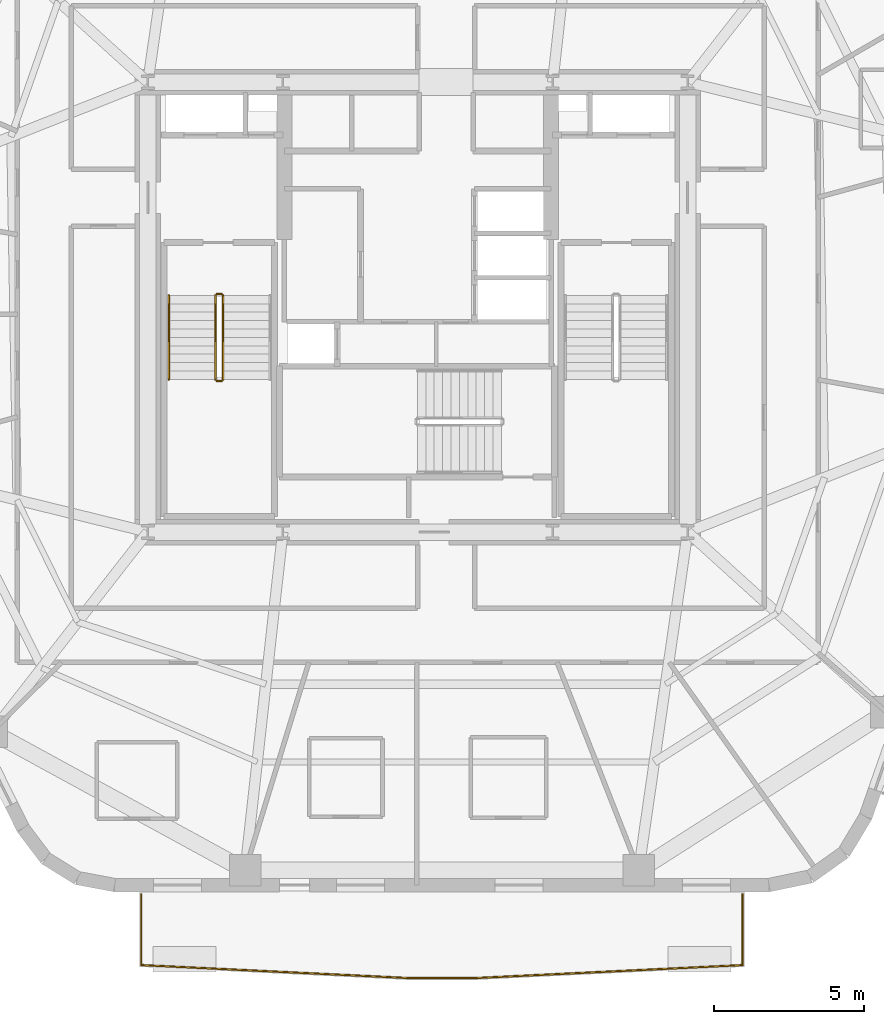
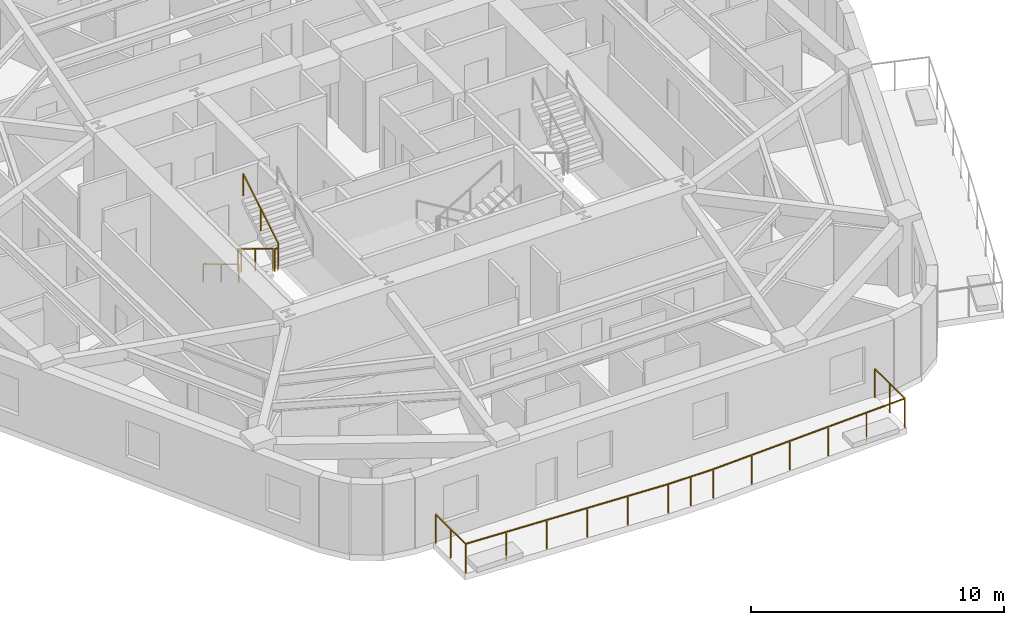
# One storey, part 8 of 11: 6 railings.
"""IFC4 building model written with IfcOpenShell, lengths in metres."""

from ifc_helpers import new_model, si_unit, direction, frame, origin, origin_2d, place, context, subcontext, project, spatial, rectangle, extrude, material, layer, layer_set, type_object, element, save


model = new_model("IFC4")

# Units and contexts
model_context = context("Model", 3, precision=1e-05, world=origin(), true_north=direction((0.0, 1.0)))
body_context = subcontext(model_context, "Body", "Model", "MODEL_VIEW")
ifc_project = project(units=[si_unit("LENGTHUNIT", "METRE"), si_unit("AREAUNIT", "SQUARE_METRE"), si_unit("VOLUMEUNIT", "CUBIC_METRE"), si_unit("PLANEANGLEUNIT", "RADIAN"), si_unit("MASSUNIT", "GRAM", prefix="KILO")], contexts=[model_context])

# Site, building, storey
site_placement = place(None, origin())
site = spatial("IfcSite", under=ifc_project, at=site_placement, CompositionType="ELEMENT")
building_placement = place(site_placement, origin())
building = spatial("IfcBuilding", under=site, at=building_placement, Name="Kilnhurst Terrace Hotel", CompositionType="ELEMENT")
storey_placement = place(building_placement, frame((0.0, 0.0, 159.10009765625)))
storey = spatial("IfcBuildingStorey", under=building, at=storey_placement, Name="L39", CompositionType="ELEMENT", Elevation=159.10009765625)

# Railings
ifc_material_1 = material(Name="Laminated SentryGlas and Stainless Steel AISI 316L Balustrade", Category="steel")
ifc_layer_1 = layer(ifc_material_1, 0.070068359375, Name="Laminated SentryGlas and Stainless Steel AISI 316L Balustrade")
ifc_layer_set_1 = layer_set([ifc_layer_1], Name="Laminated SentryGlas and Stainless Steel AISI 316L Balustrade")
railing_type_1 = type_object("IfcRailingType", Name="RLG-BAL-1420", PredefinedType="BALUSTRADE", material=ifc_layer_set_1)
railing_1_placement = place(storey_placement, frame((10.83349609375, -19.580078125, 0.0)))
element("IfcRailing", 1, at=railing_1_placement, inside=storey, type_object=railing_type_1, Name="L39 Exterior Terrace Guardrail BAL-L1A.1", PredefinedType="BALUSTRADE", context=body_context, shape_type="SweptSolid", body=[
    extrude(rectangle(XDim=0.048095703125, YDim=0.048095703125, at=origin_2d()), frame((0.0, 0.0, 1.39599609375), z_axis=(0.0, -1.0, 0.0), x_axis=(1.0, 0.0, 0.0)), (0.0, 0.0, 1.0), 2.36279296875),
    extrude(rectangle(XDim=0.048095703125, YDim=0.048095703125, at=origin_2d()), frame((0.0, -2.36279296875, 1.39599609375), z_axis=(-0.998822813861, -0.048507592295, 0.0), x_axis=(0.048507592295, -0.998822813861, 0.0)), (0.0, 0.0, 1.0), 9.009033203125),
    extrude(rectangle(XDim=0.048095703125, YDim=0.048095703125, at=origin_2d()), frame((-8.99853515625, -2.7998046875, 1.39599609375), z_axis=(-1.0, 0.0, 0.0), x_axis=(0.0, -1.0, 0.0)), (0.0, 0.0, 1.0), 2.0556640625),
    extrude(rectangle(XDim=0.048095703125, YDim=0.048095703125, at=origin_2d()), frame((-11.05419921875, -2.7998046875, 1.39599609375), z_axis=(-0.998822813861, 0.048507592295, 0.0), x_axis=(-0.048507592295, -0.998822813861, 0.0)), (0.0, 0.0, 1.0), 9.009033203125),
    extrude(rectangle(XDim=0.048095703125, YDim=0.048095703125, at=origin_2d()), frame((-20.052734375, -2.36279296875, 1.39599609375), z_axis=(0.0, 1.0, 0.0), x_axis=(-1.0, 0.0, 0.0)), (0.0, 0.0, 1.0), 2.36279296875),
    extrude(rectangle(XDim=0.0419921875, YDim=0.0419921875, at=origin_2d()), origin(), (0.0, 0.0, 1.0), 1.371826171875),
    extrude(rectangle(XDim=0.0419921875, YDim=0.0419921875, at=origin_2d()), frame((0.0, -1.181396484375, 0.0)), (0.0, 0.0, 1.0), 1.371826171875),
    extrude(rectangle(XDim=0.0419921875, YDim=0.0419921875, at=origin_2d()), frame((0.0, -2.36279296875, 0.0)), (0.0, 0.0, 1.0), 1.371826171875),
    extrude(rectangle(XDim=0.0419921875, YDim=0.0419921875, at=origin_2d()), frame((-1.7998046875, -2.4501953125, 0.0)), (0.0, 0.0, 1.0), 1.371826171875),
    extrude(rectangle(XDim=0.0419921875, YDim=0.0419921875, at=origin_2d()), frame((-3.599365234375, -2.53759765625, 0.0)), (0.0, 0.0, 1.0), 1.371826171875),
    extrude(rectangle(XDim=0.0419921875, YDim=0.0419921875, at=origin_2d()), frame((-5.399169921875, -2.625, 0.0)), (0.0, 0.0, 1.0), 1.371826171875),
    extrude(rectangle(XDim=0.0419921875, YDim=0.0419921875, at=origin_2d()), frame((-7.19873046875, -2.71240234375, 0.0)), (0.0, 0.0, 1.0), 1.371826171875),
    extrude(rectangle(XDim=0.0419921875, YDim=0.0419921875, at=origin_2d()), frame((-8.99853515625, -2.7998046875, 0.0)), (0.0, 0.0, 1.0), 1.371826171875),
    extrude(rectangle(XDim=0.0419921875, YDim=0.0419921875, at=origin_2d()), frame((-10.0263671875, -2.7998046875, 0.0)), (0.0, 0.0, 1.0), 1.371826171875),
    extrude(rectangle(XDim=0.0419921875, YDim=0.0419921875, at=origin_2d()), frame((-11.05419921875, -2.7998046875, 0.0)), (0.0, 0.0, 1.0), 1.371826171875),
    extrude(rectangle(XDim=0.0419921875, YDim=0.0419921875, at=origin_2d()), frame((-12.85400390625, -2.71240234375, 0.0)), (0.0, 0.0, 1.0), 1.371826171875),
    extrude(rectangle(XDim=0.0419921875, YDim=0.0419921875, at=origin_2d()), frame((-14.653564453125, -2.625, 0.0)), (0.0, 0.0, 1.0), 1.371826171875),
    extrude(rectangle(XDim=0.0419921875, YDim=0.0419921875, at=origin_2d()), frame((-16.453369140625, -2.53759765625, 0.0)), (0.0, 0.0, 1.0), 1.371826171875),
    extrude(rectangle(XDim=0.0419921875, YDim=0.0419921875, at=origin_2d()), frame((-18.2529296875, -2.4501953125, 0.0)), (0.0, 0.0, 1.0), 1.371826171875),
    extrude(rectangle(XDim=0.0419921875, YDim=0.0419921875, at=origin_2d()), frame((-20.052734375, -2.36279296875, 0.0)), (0.0, 0.0, 1.0), 1.371826171875),
    extrude(rectangle(XDim=0.0419921875, YDim=0.0419921875, at=origin_2d()), frame((-20.052734375, -1.181396484375, 0.0)), (0.0, 0.0, 1.0), 1.371826171875),
    extrude(rectangle(XDim=0.0419921875, YDim=0.0419921875, at=origin_2d()), frame((-20.052734375, 0.0, 0.0)), (0.0, 0.0, 1.0), 1.371826171875),
])
ifc_material_2 = material(Name="Powder-Coated Steel ASTM A500 Grade B", Category="steel")
ifc_layer_2 = layer(ifc_material_2, 0.050048828125, Name="Powder-Coated Steel ASTM A500 Grade B")
ifc_layer_set_2 = layer_set([ifc_layer_2], Name="Powder-Coated Steel ASTM A500 Grade B")
railing_type_2 = type_object("IfcRailingType", Name="RLG-ST-GRD-1100", PredefinedType="GUARDRAIL", material=ifc_layer_set_2)
railing_2_placement = place(storey_placement, frame((-6.739990234375, 0.389892578125, 0.16796875)))
element("IfcRailing", 2, at=railing_2_placement, inside=storey, type_object=railing_type_2, Name="L39 ST-1 stair guard 1", PredefinedType="GUARDRAIL", context=body_context, shape_type="SweptSolid", body=[
    extrude(rectangle(XDim=0.048095703125, YDim=0.048095703125, at=origin_2d()), frame((0.0, 0.0, 1.076171875), z_axis=(0.0, -0.857222391501, 0.514946377315), x_axis=(1.0, 0.0, 0.0)), (0.0, 0.0, 1.0), 3.26611328125),
    extrude(rectangle(XDim=0.0419921875, YDim=0.0419921875, at=origin_2d()), origin(), (0.0, 0.0, 1.0), 1.052001953125),
    extrude(rectangle(XDim=0.0419921875, YDim=0.0419921875, at=origin_2d()), frame((0.0, -1.39990234375, 0.8408203125)), (0.0, 0.0, 1.0), 1.052001953125),
    extrude(rectangle(XDim=0.0419921875, YDim=0.0419921875, at=origin_2d()), frame((0.0, -2.7998046875, 1.681884765625)), (0.0, 0.0, 1.0), 1.052001953125),
])
railing_3_placement = place(storey_placement, frame((-6.68994140625, -2.4599609375, 1.849853515625)))
element("IfcRailing", 3, at=railing_3_placement, inside=storey, type_object=railing_type_2, Name="L39 ST-1 stair guard 2", PredefinedType="GUARDRAIL", context=body_context, shape_type="SweptSolid", body=[
    extrude(rectangle(XDim=0.048095703125, YDim=0.048095703125, at=origin_2d()), frame((0.0, 0.0, 1.076171875), z_axis=(1.0, 0.0, 0.0), x_axis=(0.0, 1.0, 0.0)), (0.0, 0.0, 1.0), 0.14990234375),
    extrude(rectangle(XDim=0.0419921875, YDim=0.0419921875, at=origin_2d()), origin(), (0.0, 0.0, 1.0), 1.052001953125),
    extrude(rectangle(XDim=0.0419921875, YDim=0.0419921875, at=origin_2d()), frame((0.14990234375, 0.0, 0.0)), (0.0, 0.0, 1.0), 1.052001953125),
])
railing_4_placement = place(storey_placement, frame((-6.489990234375, -2.409912109375, 2.01806640625)))
element("IfcRailing", 4, at=railing_4_placement, inside=storey, type_object=railing_type_2, Name="L39 ST-1 stair guard 3", PredefinedType="GUARDRAIL", context=body_context, shape_type="SweptSolid", body=[
    extrude(rectangle(XDim=0.048095703125, YDim=0.048095703125, at=origin_2d()), frame((0.0, 0.0, 1.076171875), z_axis=(0.0, 0.857222391501, 0.514946377315), x_axis=(-1.0, 0.0, 0.0)), (0.0, 0.0, 1.0), 3.26611328125),
    extrude(rectangle(XDim=0.0419921875, YDim=0.0419921875, at=origin_2d()), origin(), (0.0, 0.0, 1.0), 1.052001953125),
    extrude(rectangle(XDim=0.0419921875, YDim=0.0419921875, at=origin_2d()), frame((0.0, 1.39990234375, 0.8408203125)), (0.0, 0.0, 1.0), 1.052001953125),
    extrude(rectangle(XDim=0.0419921875, YDim=0.0419921875, at=origin_2d()), frame((0.0, 2.7998046875, 1.681884765625)), (0.0, 0.0, 1.0), 1.052001953125),
])
railing_5_placement = place(storey_placement, frame((-6.68994140625, 0.43994140625, 0.0)))
element("IfcRailing", 5, at=railing_5_placement, inside=storey, type_object=railing_type_2, Name="L39 ST-1 stair guard 4", PredefinedType="GUARDRAIL", context=body_context, shape_type="SweptSolid", body=[
    extrude(rectangle(XDim=0.048095703125, YDim=0.048095703125, at=origin_2d()), frame((0.0, 0.0, 1.076171875), z_axis=(1.0, 0.0, 0.0), x_axis=(0.0, 1.0, 0.0)), (0.0, 0.0, 1.0), 0.14990234375),
    extrude(rectangle(XDim=0.0419921875, YDim=0.0419921875, at=origin_2d()), origin(), (0.0, 0.0, 1.0), 1.052001953125),
    extrude(rectangle(XDim=0.0419921875, YDim=0.0419921875, at=origin_2d()), frame((0.14990234375, 0.0, 0.0)), (0.0, 0.0, 1.0), 1.052001953125),
])
ifc_material_3 = material(Name="Brushed Stainless Steel AISI 304", Category="steel")
ifc_layer_3 = layer(ifc_material_3, 0.048095703125, Name="Brushed Stainless Steel AISI 304")
ifc_layer_set_3 = layer_set([ifc_layer_3], Name="Brushed Stainless Steel AISI 304")
railing_type_3 = type_object("IfcRailingType", Name="RLG-ST-HRL-900", PredefinedType="HANDRAIL", material=ifc_layer_set_3)
railing_6_placement = place(storey_placement, frame((-8.300048828125, 0.389892578125, 0.16796875)))
element("IfcRailing", 6, at=railing_6_placement, inside=storey, type_object=railing_type_3, Name="L39 ST-1 stair handrail 1", PredefinedType="HANDRAIL", context=body_context, shape_type="SweptSolid", body=[
    extrude(rectangle(XDim=0.048095703125, YDim=0.048095703125, at=origin_2d()), frame((0.0, 0.0, 0.8759765625), z_axis=(0.0, -0.857222391501, 0.514946377315), x_axis=(1.0, 0.0, 0.0)), (0.0, 0.0, 1.0), 3.26611328125),
    extrude(rectangle(XDim=0.0419921875, YDim=0.0419921875, at=origin_2d()), origin(), (0.0, 0.0, 1.0), 0.851806640625),
    extrude(rectangle(XDim=0.0419921875, YDim=0.0419921875, at=origin_2d()), frame((0.0, -1.39990234375, 0.8408203125)), (0.0, 0.0, 1.0), 0.851806640625),
    extrude(rectangle(XDim=0.0419921875, YDim=0.0419921875, at=origin_2d()), frame((0.0, -2.7998046875, 1.681884765625)), (0.0, 0.0, 1.0), 0.851806640625),
])

save(model, "model.ifc")
